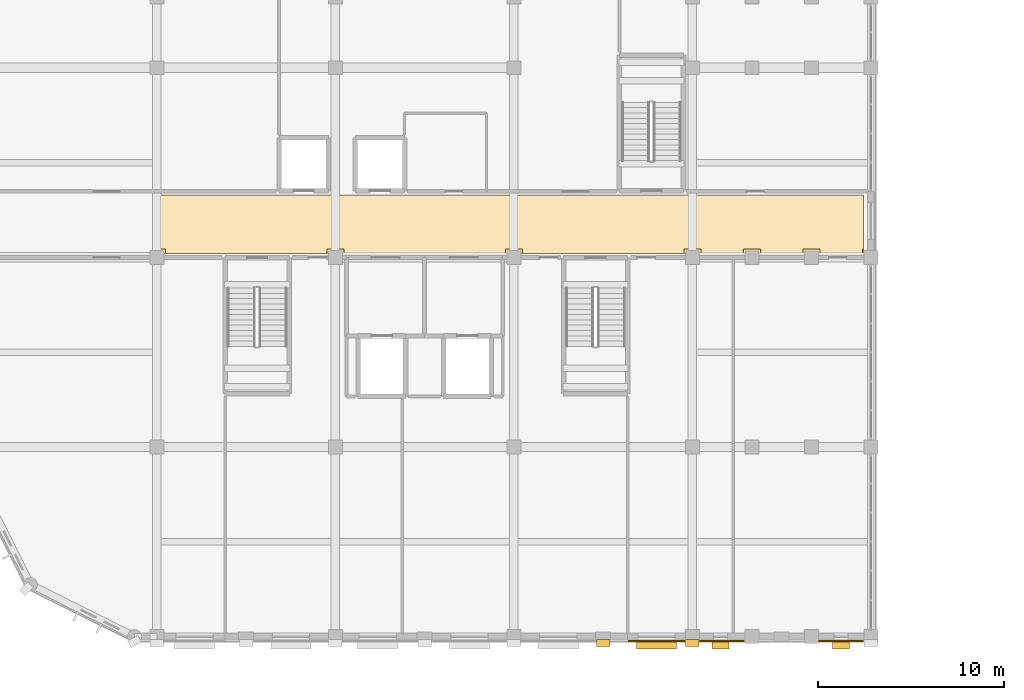
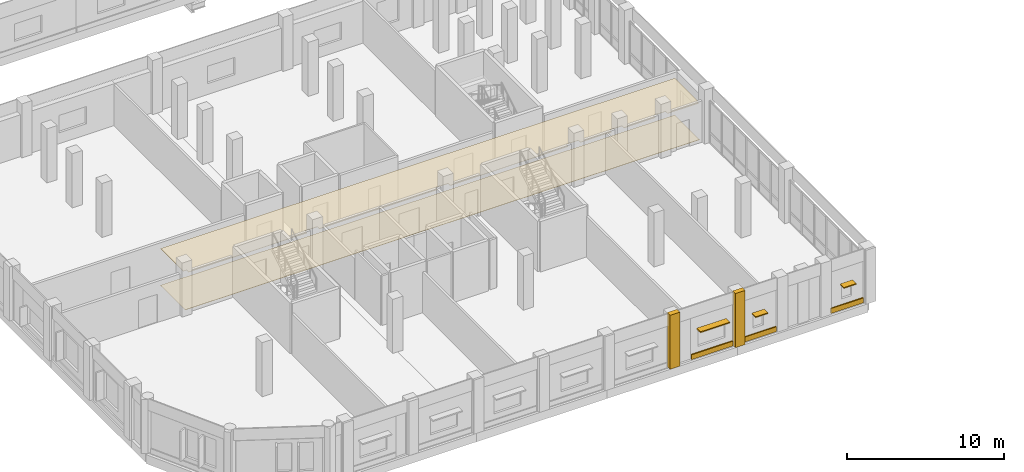
# One storey, part 154 of 170: 7 coverings, 3 shading devices.
"""IFC4 building model written with IfcOpenShell, lengths in metres."""

from ifc_helpers import new_model, si_unit, direction, frame, origin, origin_2d, place, context, subcontext, project, spatial, polyline, rectangle, outline, extrude, material, layer, layer_set, type_object, element, save


model = new_model("IFC4")

# Units and contexts
model_context = context("Model", 3, precision=1e-05, world=origin(), true_north=direction((0.0, 1.0)))
body_context = subcontext(model_context, "Body", "Model", "MODEL_VIEW")
ifc_project = project(units=[si_unit("LENGTHUNIT", "METRE"), si_unit("AREAUNIT", "SQUARE_METRE"), si_unit("VOLUMEUNIT", "CUBIC_METRE"), si_unit("PLANEANGLEUNIT", "RADIAN"), si_unit("MASSUNIT", "GRAM", prefix="KILO")], contexts=[model_context])

# Site, building, storey
site_placement = place(None, origin())
site = spatial("IfcSite", under=ifc_project, at=site_placement, CompositionType="ELEMENT")
building_placement = place(site_placement, origin())
building = spatial("IfcBuilding", under=site, at=building_placement, Name="Vondelvale Polytechnic", CompositionType="ELEMENT")
storey_placement = place(building_placement, frame((0.0, 0.0, 5.39990234375)))
storey = spatial("IfcBuildingStorey", under=building, at=storey_placement, Name="L01", CompositionType="ELEMENT", Elevation=5.39990234375)

# Coverings
ifc_material_1 = material(Name="Amsterdam School iron-spot clinker clay brickwork", Category="masonry")
ifc_layer_1 = layer(ifc_material_1, 0.090087890625)
ifc_layer_set_1 = layer_set([ifc_layer_1], Name="COV-BRICK-RELIEF")
covering_type_1 = type_object("IfcCoveringType", Name="COV-BRICK-RELIEF", PredefinedType="CLADDING", material=ifc_layer_set_1)
covering_1_placement = place(storey_placement, frame((36.474609375, -0.23095703125, 0.000244140625), z_axis=(0.0, 0.0, 1.0), x_axis=(-1.0, 0.0, 0.0)))
element("IfcCovering", 1, at=covering_1_placement, inside=storey, type_object=covering_type_1, Name="L01 exterior corbelled masonry relief band", PredefinedType="CLADDING", context=body_context, shape_type="SweptSolid", body=[
    extrude(rectangle(XDim=3.0390625, YDim=0.090087890625, at=origin_2d()), origin(), (0.0, 0.0, 1.0), 0.3798828125),
])
for number, where, z_axis, x_axis, name in (
    (2, (40.0, -0.23095703125, 0.000244140625), (0.0, 0.0, 1.0), (-1.0, 0.0, 0.0), "L01 exterior corbelled masonry relief band"),
    (3, (46.39990234375, -0.23095703125, 0.000244140625), (0.0, 0.0, 1.0), (-1.0, 0.0, 0.0), "L01 exterior corbelled masonry relief band"),
):
    element("IfcCovering", number, at=place(storey_placement, frame(where, z_axis=z_axis, x_axis=x_axis)), inside=storey, type_object=covering_type_1, Name=name, PredefinedType="CLADDING", context=body_context, shape_type="SweptSolid", body=[
        extrude(rectangle(XDim=2.387939453125, YDim=0.090087890625, at=origin_2d()), origin(), (0.0, 0.0, 1.0), 0.3798828125),
    ])
for number, where, z_axis, x_axis, name in (
    (4, (33.60009765625, -0.340087890625, 0.0), (0.0, 0.0, 1.0), (1.0, 0.0, 0.0), "L01 Classical street pilaster"),
    (5, (38.39990234375, -0.340087890625, 0.0), (0.0, 0.0, 1.0), (1.0, 0.0, 0.0), "L01 Classical street pilaster"),
):
    element("IfcCovering", number, at=place(storey_placement, frame(where, z_axis=z_axis, x_axis=x_axis)), inside=storey, type_object=covering_type_1, Name=name, PredefinedType="CLADDING", context=body_context, shape_type="SweptSolid", body=[
        extrude(rectangle(XDim=0.719970703125, YDim=0.360107421875, at=origin_2d()), origin(), (0.0, 0.0, 1.0), 4.199951171875),
    ])
ifc_material_2 = material(Name="Perforated acoustic mineral-fibre and timber-batten ceiling", Category="wood")
ifc_layer_2 = layer(ifc_material_2, 0.030029296875)
ifc_layer_set_2 = layer_set([ifc_layer_2], Name="COV-CEIL-ACOUSTIC")
covering_type_2 = type_object("IfcCoveringType", Name="COV-CEIL-ACOUSTIC", PredefinedType="CEILING", material=ifc_layer_set_2)
covering_2_placement = place(storey_placement, frame((0.0, 0.0, 2.85009765625)))
element("IfcCovering", 6, at=covering_2_placement, inside=storey, type_object=covering_type_2, Name="L01 corridor acoustic baffle ceiling", PredefinedType="CEILING", context=body_context, shape_type="SweptSolid", body=[
    extrude(outline(polyline([(10.054931640625, 20.60009765625), (10.054931640625, 20.85498046875), (9.800048828125, 20.85498046875), (9.800048828125, 23.75), (47.60009765625, 23.75), (47.60009765625, 20.85498046875), (47.544921875, 20.85498046875), (47.544921875, 20.60009765625), (45.2548828125, 20.60009765625), (45.2548828125, 20.85498046875), (44.344970703125, 20.85498046875), (44.344970703125, 20.60009765625), (42.054931640625, 20.60009765625), (42.054931640625, 20.85498046875), (41.14501953125, 20.85498046875), (41.14501953125, 20.60009765625), (38.85498046875, 20.60009765625), (38.85498046875, 20.85498046875), (37.945068359375, 20.85498046875), (37.945068359375, 20.60009765625), (29.2548828125, 20.60009765625), (29.2548828125, 20.85498046875), (28.344970703125, 20.85498046875), (28.344970703125, 20.60009765625), (19.655029296875, 20.60009765625), (19.655029296875, 20.85498046875), (18.7451171875, 20.85498046875), (18.7451171875, 20.60009765625), (10.054931640625, 20.60009765625)])), origin(), (0.0, 0.0, 1.0), 0.030029296875),
])
ifc_material_3 = material(Name="Polished Victorian aggregate terrazzo flooring")
ifc_layer_3 = layer(ifc_material_3, 0.02490234375)
ifc_layer_set_3 = layer_set([ifc_layer_3], Name="COV-FLOOR-TERRAZZO")
covering_type_3 = type_object("IfcCoveringType", Name="COV-FLOOR-TERRAZZO", PredefinedType="FLOORING", material=ifc_layer_set_3)
covering_3_placement = place(storey_placement, origin())
element("IfcCovering", 7, at=covering_3_placement, inside=storey, type_object=covering_type_3, Name="L01 architectural floor finish", PredefinedType="FLOORING", context=body_context, shape_type="SweptSolid", body=[
    extrude(outline(polyline([(9.800048828125, 20.60009765625), (47.60009765625, 20.60009765625), (47.60009765625, 23.75), (9.800048828125, 23.75), (9.800048828125, 20.60009765625)])), origin(), (0.0, 0.0, 1.0), 0.025146484375),
])

# Shading devices
ifc_material_4 = material(Name="Anodised extruded aluminium 6063-T6", Category="aluminium")
shading_device_type = type_object("IfcShadingDeviceType", Name="SHD-BRONZE-LOUVRE", PredefinedType="SHUTTER", material=ifc_material_4)
shading_device_placement = place(storey_placement, frame((36.474609375, -0.4150390625, 2.15771484375), z_axis=(0.0, 0.0, 1.0), x_axis=(-1.0, 0.0, 0.0)))
element("IfcShadingDevice", 8, at=shading_device_placement, inside=storey, type_object=shading_device_type, Name="L01 horizontal bronze sun-louvre overhang", PredefinedType="SHUTTER", context=body_context, shape_type="SweptSolid", body=[
    extrude(rectangle(XDim=2.159912109375, YDim=0.47998046875, at=origin_2d()), origin(), (0.0, 0.0, 1.0), 0.0849609375),
])
for number, where, z_axis, x_axis, name in (
    (9, (39.905029296875, -0.4150390625, 1.90771484375), (0.0, 0.0, 1.0), (-1.0, 0.0, 0.0), "L01 horizontal bronze sun-louvre overhang"),
    (10, (46.39990234375, -0.4150390625, 1.90771484375), (0.0, 0.0, 1.0), (-1.0, 0.0, 0.0), "L01 horizontal bronze sun-louvre overhang"),
):
    element("IfcShadingDevice", number, at=place(storey_placement, frame(where, z_axis=z_axis, x_axis=x_axis)), inside=storey, type_object=shading_device_type, Name=name, PredefinedType="SHUTTER", context=body_context, shape_type="SweptSolid", body=[
        extrude(rectangle(XDim=0.909912109375, YDim=0.47998046875, at=origin_2d()), origin(), (0.0, 0.0, 1.0), 0.0849609375),
    ])

save(model, "model.ifc")
